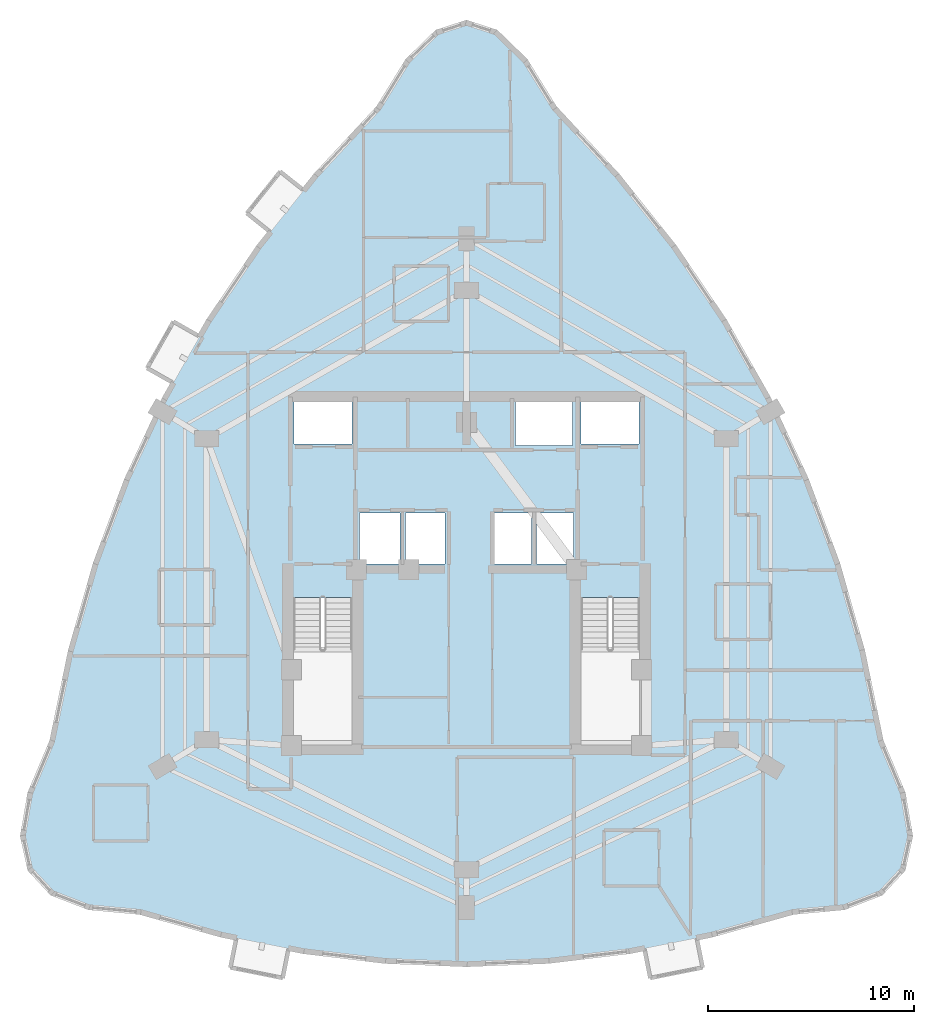
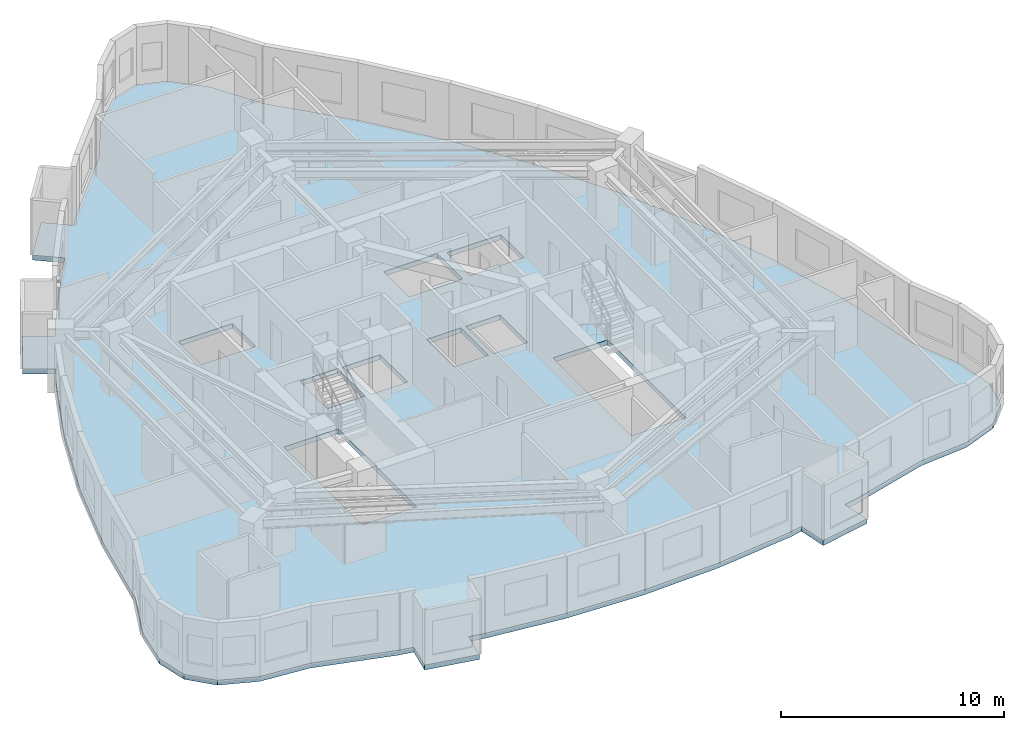
# One storey, part 3 of 12: 1 slab.
"""IFC4 building model written with IfcOpenShell, lengths in metres."""

from ifc_helpers import new_model, si_unit, direction, frame, origin, place, context, subcontext, project, spatial, polyline, outline, extrude, material, layer, layer_set, type_object, element, save


model = new_model("IFC4")

# Units and contexts
model_context = context("Model", 3, precision=1e-05, world=origin(), true_north=direction((0.0, 1.0)))
body_context = subcontext(model_context, "Body", "Model", "MODEL_VIEW")
ifc_project = project(units=[si_unit("LENGTHUNIT", "METRE"), si_unit("AREAUNIT", "SQUARE_METRE"), si_unit("VOLUMEUNIT", "CUBIC_METRE"), si_unit("PLANEANGLEUNIT", "RADIAN"), si_unit("MASSUNIT", "GRAM", prefix="KILO")], contexts=[model_context])

# Site, building, storey
site_placement = place(None, origin())
site = spatial("IfcSite", under=ifc_project, at=site_placement, CompositionType="ELEMENT")
building_placement = place(site_placement, origin())
building = spatial("IfcBuilding", under=site, at=building_placement, Name="Miruveldt Soraemaru", CompositionType="ELEMENT")
storey_placement = place(building_placement, frame((0.0, 0.0, 145.89990234375)))
storey = spatial("IfcBuildingStorey", under=building, at=storey_placement, Name="L40", CompositionType="ELEMENT", Elevation=145.89990234375)

# Slab
ifc_material = material(Name="Concrete C40/50 (40 MPa)", Category="concrete")
ifc_layer = layer(ifc_material, 0.264892578125, Name="Concrete C40/50 (40 MPa)", Category="concrete")
ifc_layer_set = layer_set([ifc_layer], Name="Concrete C40/50 (40 MPa)")
slab_type = type_object("IfcSlabType", Name="SLAB-RES2-265", PredefinedType="FLOOR", material=ifc_layer_set)
slab_placement = place(storey_placement, frame((0.0, 0.0, -0.264892578125)))
element("IfcSlab", 1, at=slab_placement, inside=storey, type_object=slab_type, Name="L40 Structural Floor Slab", PredefinedType="FLOOR", context=body_context, shape_type="SweptSolid", body=[
    extrude(outline(polyline([(32.5390625, 24.743408203125), (32.829345703125, 26.194580078125), (34.104248046875, 25.939697265625), (32.125, 26.33544921875), (28.166748046875, 27.44384765625), (25.677734375, 27.673583984375), (23.900146484375, 28.363525390625), (22.83349609375, 29.512939453125), (22.477783203125, 31.122314453125), (22.83349609375, 33.191650390625), (23.900146484375, 35.720703125), (24.80419921875, 40.114013671875), (26.015380859375, 44.349365234375), (27.533935546875, 48.42626953125), (29.359619140625, 52.3447265625), (30.42578125, 54.224853515625), (29.784423828125, 53.093994140625), (28.497314453125, 53.82421875), (29.780029296875, 56.085693359375), (31.0673828125, 55.355712890625), (31.4921875, 56.10498046875), (33.93212890625, 59.706787109375), (34.4951171875, 60.412353515625), (33.337890625, 61.335205078125), (34.95947265625, 63.367919921875), (36.116455078125, 62.44482421875), (35.3056640625, 61.4287109375), (36.67919921875, 63.150390625), (39.7333984375, 66.435546875), (41.155517578125, 68.734619140625), (42.577880859375, 70.114013671875), (44.0, 70.573974609375), (45.422119140625, 70.114013671875), (46.844482421875, 68.734619140625), (48.2666015625, 66.435546875), (51.32080078125, 63.150390625), (54.06787109375, 59.706787109375), (56.5078125, 56.10498046875), (58.640380859375, 52.3447265625), (60.466064453125, 48.42626953125), (61.984619140625, 44.349365234375), (63.19580078125, 40.114013671875), (64.099853515625, 35.720703125), (65.16650390625, 33.191650390625), (65.522216796875, 31.122314453125), (65.16650390625, 29.512939453125), (64.099853515625, 28.363525390625), (62.322265625, 27.673583984375), (59.833251953125, 27.44384765625), (55.875, 26.33544921875), (53.895751953125, 25.939697265625), (55.170654296875, 26.194580078125), (55.4609375, 24.743408203125), (52.911376953125, 24.2333984375), (52.62109375, 25.684814453125), (51.916748046875, 25.543701171875), (47.958251953125, 25.06884765625), (44.0, 24.910400390625), (40.041748046875, 25.06884765625), (36.083251953125, 25.543701171875), (35.37890625, 25.684814453125), (35.088623046875, 24.2333984375), (32.5390625, 24.743408203125)]), holes=[polyline([(35.614990234375, 35.6650390625), (38.43505859375, 35.6650390625), (38.43505859375, 42.68505859375), (35.614990234375, 42.68505859375), (35.614990234375, 35.6650390625)]), polyline([(49.56494140625, 35.6650390625), (52.385009765625, 35.6650390625), (52.385009765625, 42.68505859375), (49.56494140625, 42.68505859375), (49.56494140625, 35.6650390625)]), polyline([(40.764892578125, 44.31494140625), (40.764892578125, 46.784912109375), (38.81494140625, 46.784912109375), (38.81494140625, 44.31494140625), (40.764892578125, 44.31494140625)]), polyline([(42.965087890625, 44.31494140625), (42.965087890625, 46.784912109375), (41.034912109375, 46.784912109375), (41.034912109375, 44.31494140625), (42.965087890625, 44.31494140625)]), polyline([(47.1650390625, 44.31494140625), (47.1650390625, 46.784912109375), (45.364990234375, 46.784912109375), (45.364990234375, 44.31494140625), (47.1650390625, 44.31494140625)]), polyline([(49.18505859375, 44.31494140625), (49.18505859375, 46.784912109375), (47.39501953125, 46.784912109375), (47.39501953125, 44.31494140625), (49.18505859375, 44.31494140625)]), polyline([(38.445068359375, 50.135009765625), (38.445068359375, 52.205078125), (35.635009765625, 52.205078125), (35.635009765625, 50.135009765625), (38.445068359375, 50.135009765625)]), polyline([(49.554931640625, 50.135009765625), (52.364990234375, 50.135009765625), (52.364990234375, 52.205078125), (49.554931640625, 52.205078125), (49.554931640625, 50.135009765625)]), polyline([(46.364990234375, 50.06494140625), (49.135009765625, 50.06494140625), (49.135009765625, 52.3349609375), (46.364990234375, 52.3349609375), (46.364990234375, 50.06494140625)])]), origin(), (0.0, 0.0, 1.0), 0.264892578125),
])

save(model, "model.ifc")
